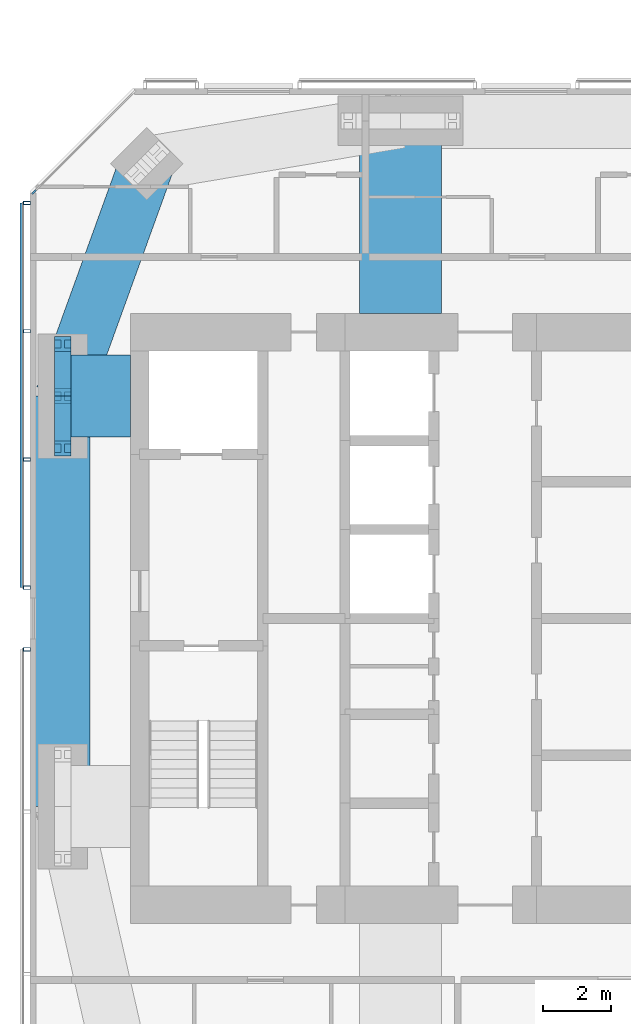
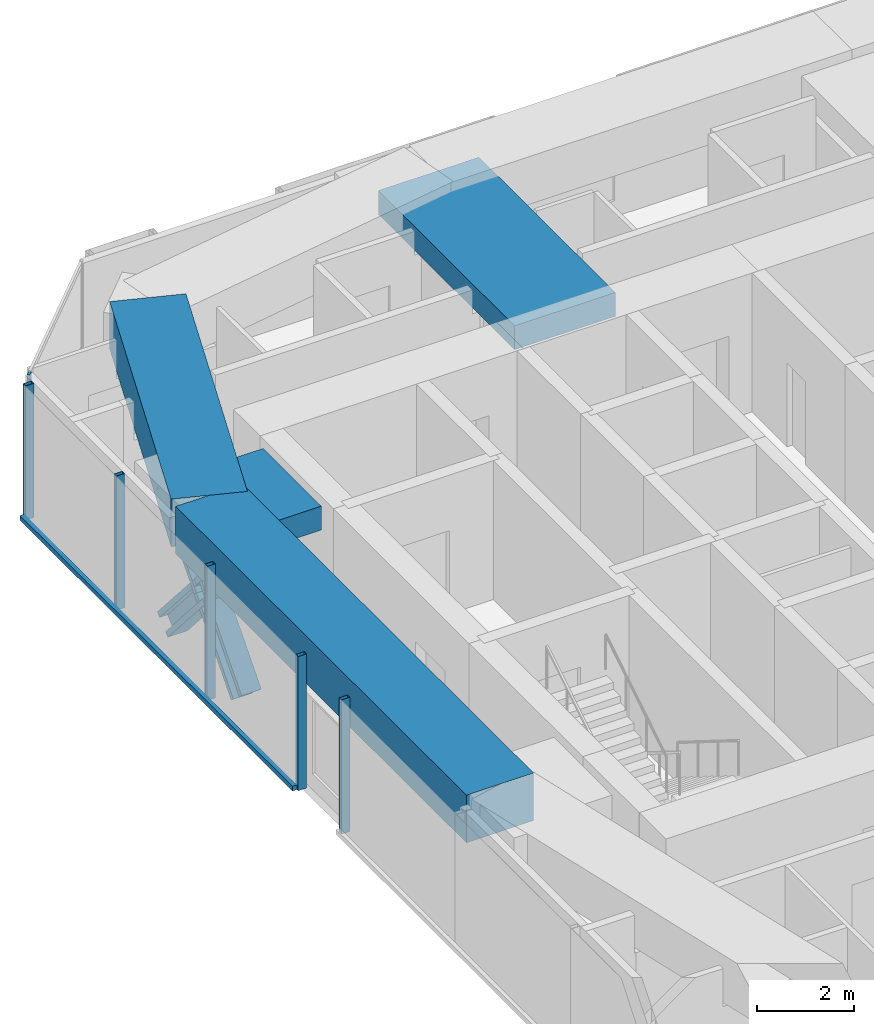
# One storey, part 5 of 18: 11 members, 4 beams, 3 elements without a shape of their own.
"""IFC4 building model written with IfcOpenShell, lengths in metres."""

from ifc_helpers import new_model, si_unit, direction, frame, origin, origin_2d, place, context, subcontext, project, spatial, rectangle, hollow_rectangle, i_section, extrude, material, material_profile, profile_set, type_object, element, aggregate, save


model = new_model("IFC4")

# Units and contexts
model_context = context("Model", 3, precision=1e-05, world=origin(), true_north=direction((0.0, 1.0)))
body_context = subcontext(model_context, "Body", "Model", "MODEL_VIEW")
ifc_project = project(units=[si_unit("LENGTHUNIT", "METRE"), si_unit("AREAUNIT", "SQUARE_METRE"), si_unit("VOLUMEUNIT", "CUBIC_METRE"), si_unit("PLANEANGLEUNIT", "RADIAN"), si_unit("MASSUNIT", "GRAM", prefix="KILO")], contexts=[model_context])

# Site, building, storey
site_placement = place(None, origin())
site = spatial("IfcSite", under=ifc_project, at=site_placement, CompositionType="ELEMENT")
building_placement = place(site_placement, origin())
building = spatial("IfcBuilding", under=site, at=building_placement, Name="Jalousie Tower", CompositionType="ELEMENT")
storey_placement = place(building_placement, frame((0.0, 0.0, 228.449951171875)))
storey = spatial("IfcBuildingStorey", under=building, at=storey_placement, Name="L62", CompositionType="ELEMENT", Elevation=228.449951171875)

# Curtain wall, member
ifc_material_1 = material(Name="Aluminium curtain wall", Category="aluminium")
curtain_wall_type_1 = type_object("IfcCurtainWallType", Name="CORNER WINDOW WALL", PredefinedType="USERDEFINED", material=ifc_material_1)
curtain_wall_1_placement = place(storey_placement, origin())
curtain_wall_1 = element("IfcCurtainWall", 1, at=curtain_wall_1_placement, inside=storey, type_object=curtain_wall_type_1, Name="Corner Window Wall L62 6", ObjectType="CORNER WINDOW WALL", PredefinedType="USERDEFINED")
ifc_material_2 = material(Name="Aluminium mullion", Category="aluminium")
ifc_material_profile_1 = material_profile(ifc_material_2, rectangle(XDim=0.06005859375, YDim=0.14990234375, at=origin_2d()), Name="MULLION 60x150")
ifc_profile_set_1 = profile_set([ifc_material_profile_1], Name="Aluminium mullion")
member_type_1 = type_object("IfcMemberType", Name="CORNER WINDOW WALL MULLION", PredefinedType="MULLION", material=ifc_profile_set_1)
member_1_placement = place(storey_placement, frame((16.90869140625, 30.969970703125, 0.0), z_axis=(0.0, 0.0, 1.0), x_axis=(0.707106781187, -0.707106781187, 0.0)))
member_1 = element("IfcMember", 2, at=member_1_placement, type_object=member_type_1, Name="CW-C mullion 2", PredefinedType="MULLION", context=body_context, shape_type="SweptSolid", body=[
    extrude(rectangle(XDim=0.06005859375, YDim=0.14990234375, at=origin_2d()), origin(), (0.0, 0.0, 1.0), 3.260009765625),
])
aggregate(curtain_wall_1, [member_1])

# Members
ifc_material_3 = material(Name="Steel ASTM A992 Grade 50", Category="steel")
ifc_material_profile_2 = material_profile(ifc_material_3, i_section(OverallWidth=0.472412109375, OverallDepth=0.5791015625, WebThickness=0.094970703125, FlangeThickness=0.1298828125, at=origin_2d()), Name="W14X808")
ifc_profile_set_2 = profile_set([ifc_material_profile_2], Name="Steel ASTM A992 Grade 50")
member_type_2 = type_object("IfcMemberType", Name="PERIMETER BRACE W14X808", PredefinedType="BRACE", material=ifc_profile_set_2)
for number, where, z_axis, x_axis, name in (
    (3, (17.75, 23.47509765625, -0.599853515625), (0.0, 0.65695436777, 0.753930340726), (-1.0, 0.0, 0.0), "Perimeter brace 13 L62 part 1"),
    (4, (17.75, 25.0, 1.150146484375), (0.0, 0.65695436777, 0.753930340726), (-1.0, 0.0, 0.0), "Perimeter brace 13 L62 part 2"),
    (5, (17.75, 26.52490234375, -0.599853515625), (0.0, -0.65695436777, 0.753930340726), (1.0, 0.0, 0.0), "Perimeter brace 13 L62 part 3"),
    (6, (17.75, 25.0, 1.150146484375), (0.0, -0.65695436777, 0.753930340726), (1.0, 0.0, 0.0), "Perimeter brace 13 L62 part 4"),
):
    element("IfcMember", number, at=place(storey_placement, frame(where, z_axis=z_axis, x_axis=x_axis)), inside=storey, type_object=member_type_2, Name=name, PredefinedType="BRACE", context=body_context, shape_type="SweptSolid", body=[
        extrude(i_section(OverallWidth=0.472412109375, OverallDepth=0.5791015625, WebThickness=0.094970703125, FlangeThickness=0.1298828125, at=origin_2d()), origin(), (0.0, 0.0, 1.0), 2.3212890625),
    ])

# Beams
ifc_material_4 = material(Name="Concrete f'c 40 MPa", Category="concrete")
ifc_material_profile_3 = material_profile(ifc_material_4, rectangle(XDim=1.60009765625, YDim=1.199951171875, at=origin_2d()), Name="RC 1600x1200")
ifc_profile_set_3 = profile_set([ifc_material_profile_3], Name="Concrete f'c 40 MPa")
beam_type_1 = type_object("IfcBeamType", Name="RC BEAM 1600x1200", PredefinedType="BEAM", material=ifc_profile_set_3)
beam_1_placement = place(storey_placement, frame((20.20703125, 31.79296875, 2.900146484375), z_axis=(-0.340136081654, -0.940376225751, 0.0), x_axis=(0.940376225751, -0.340136081654, 0.0)))
element("IfcBeam", 7, at=beam_1_placement, inside=storey, type_object=beam_type_1, Name="Edge band beam 12-13 under L63", PredefinedType="BEAM", context=body_context, shape_type="SweptSolid", body=[
    extrude(rectangle(XDim=1.60009765625, YDim=1.199951171875, at=origin_2d()), origin(), (0.0, 0.0, 1.0), 7.2236328125),
])
beam_2_placement = place(storey_placement, frame((17.75, 25.0, 2.900146484375), z_axis=(0.0, -1.0, 0.0), x_axis=(1.0, 0.0, 0.0)))
element("IfcBeam", 8, at=beam_2_placement, inside=storey, type_object=beam_type_1, Name="Edge band beam 13-14 under L63", PredefinedType="BEAM", context=body_context, shape_type="SweptSolid", body=[
    extrude(rectangle(XDim=1.60009765625, YDim=1.199951171875, at=origin_2d()), origin(), (0.0, 0.0, 1.0), 12.0),
])
ifc_material_5 = material(Name="Concrete f'c 40 MPa", Category="concrete")
ifc_material_profile_4 = material_profile(ifc_material_5, rectangle(XDim=2.39990234375, YDim=0.60009765625, at=origin_2d()), Name="RC 2400x600")
ifc_profile_set_4 = profile_set([ifc_material_profile_4], Name="Concrete f'c 40 MPa")
beam_type_2 = type_object("IfcBeamType", Name="RC BEAM 2400x600", PredefinedType="BEAM", material=ifc_profile_set_4)
beam_3_placement = place(storey_placement, frame((17.75, 25.0, 2.9599609375), z_axis=(1.0, 0.0, 0.0), x_axis=(0.0, 1.0, 0.0)))
element("IfcBeam", 9, at=beam_3_placement, inside=storey, type_object=beam_type_2, Name="Floor band beam under L63", PredefinedType="BEAM", context=body_context, shape_type="SweptSolid", body=[
    extrude(rectangle(XDim=2.39990234375, YDim=0.60009765625, at=origin_2d()), origin(), (0.0, 0.0, 1.0), 1.97509765625),
])
beam_4_placement = place(storey_placement, frame((27.625, 33.050048828125, 2.9599609375), z_axis=(0.0, -1.0, 0.0), x_axis=(1.0, 0.0, 0.0)))
element("IfcBeam", 10, at=beam_4_placement, inside=storey, type_object=beam_type_2, Name="Floor band beam under L63", PredefinedType="BEAM", context=body_context, shape_type="SweptSolid", body=[
    extrude(rectangle(XDim=2.39990234375, YDim=0.60009765625, at=origin_2d()), origin(), (0.0, 0.0, 1.0), 5.625),
])

# Curtain wall, members
ifc_material_6 = material(Name="Perforated aluminium sheet", Category="aluminium")
curtain_wall_type_2 = type_object("IfcCurtainWallType", Name="SOLAR SCREEN SS-2", PredefinedType="USERDEFINED", material=ifc_material_6)
curtain_wall_2_placement = place(storey_placement, origin())
curtain_wall_2 = element("IfcCurtainWall", 11, at=curtain_wall_2_placement, inside=storey, type_object=curtain_wall_type_2, Name="Solar screen L62", ObjectType="SOLAR SCREEN SS-2", PredefinedType="USERDEFINED")
ifc_material_7 = material(Name="Steel ASTM A500 Grade C", Category="steel")
ifc_material_profile_5 = material_profile(ifc_material_7, hollow_rectangle(XDim=0.1015625, YDim=0.203125, WallThickness=0.0078125, at=origin_2d()), Name="HSS8X4X5/16")
ifc_profile_set_5 = profile_set([ifc_material_profile_5], Name="Steel ASTM A500 Grade C")
member_type_3 = type_object("IfcMemberType", Name="SOLAR SCREEN SS-2 MULLION", PredefinedType="MULLION", material=ifc_profile_set_5)
member_2_placement = place(storey_placement, frame((16.703369140625, 30.648681640625, -0.119873046875), z_axis=(0.0, 0.0, 1.0), x_axis=(0.0, -1.0, 0.0)))
member_2 = element("IfcMember", 12, at=member_2_placement, type_object=member_type_3, Name="SS2 post 1", PredefinedType="MULLION", context=body_context, shape_type="SweptSolid", body=[
    extrude(hollow_rectangle(XDim=0.1015625, YDim=0.203125, WallThickness=0.0078125, at=origin_2d()), origin(), (0.0, 0.0, 1.0), 3.3798828125),
])
member_3_placement = place(storey_placement, frame((16.703369140625, 26.899169921875, -0.119873046875), z_axis=(0.0, 0.0, 1.0), x_axis=(0.0, -1.0, 0.0)))
member_3 = element("IfcMember", 13, at=member_3_placement, type_object=member_type_3, Name="SS2 post 2", PredefinedType="MULLION", context=body_context, shape_type="SweptSolid", body=[
    extrude(hollow_rectangle(XDim=0.1015625, YDim=0.203125, WallThickness=0.0078125, at=origin_2d()), origin(), (0.0, 0.0, 1.0), 3.3798828125),
])
member_4_placement = place(storey_placement, frame((16.703369140625, 23.149658203125, -0.119873046875), z_axis=(0.0, 0.0, 1.0), x_axis=(0.0, -1.0, 0.0)))
member_4 = element("IfcMember", 14, at=member_4_placement, type_object=member_type_3, Name="SS2 post 3", PredefinedType="MULLION", context=body_context, shape_type="SweptSolid", body=[
    extrude(hollow_rectangle(XDim=0.1015625, YDim=0.203125, WallThickness=0.0078125, at=origin_2d()), origin(), (0.0, 0.0, 1.0), 3.3798828125),
])
member_5_placement = place(storey_placement, frame((16.703369140625, 19.39990234375, -0.119873046875), z_axis=(0.0, 0.0, 1.0), x_axis=(0.0, -1.0, 0.0)))
member_5 = element("IfcMember", 15, at=member_5_placement, type_object=member_type_3, Name="SS2 post 4", PredefinedType="MULLION", context=body_context, shape_type="SweptSolid", body=[
    extrude(hollow_rectangle(XDim=0.1015625, YDim=0.203125, WallThickness=0.0078125, at=origin_2d()), origin(), (0.0, 0.0, 1.0), 3.3798828125),
])

# Curtain wall, member
curtain_wall_3_placement = place(storey_placement, origin())
curtain_wall_3 = element("IfcCurtainWall", 16, at=curtain_wall_3_placement, inside=storey, type_object=curtain_wall_type_2, Name="Solar screen L62", ObjectType="SOLAR SCREEN SS-2", PredefinedType="USERDEFINED")
member_6_placement = place(storey_placement, frame((16.703369140625, 17.60009765625, -0.119873046875), z_axis=(0.0, 0.0, 1.0), x_axis=(0.0, -1.0, 0.0)))
member_6 = element("IfcMember", 17, at=member_6_placement, type_object=member_type_3, Name="SS2 post 1", PredefinedType="MULLION", context=body_context, shape_type="SweptSolid", body=[
    extrude(hollow_rectangle(XDim=0.1015625, YDim=0.203125, WallThickness=0.0078125, at=origin_2d()), origin(), (0.0, 0.0, 1.0), 3.3798828125),
])
aggregate(curtain_wall_3, [member_6])

# Member
ifc_material_8 = material(Name="Extruded aluminium screen rail", Category="aluminium")
ifc_material_profile_6 = material_profile(ifc_material_8, rectangle(XDim=0.1015625, YDim=0.1201171875, at=origin_2d()), Name="RAIL 102x120")
ifc_profile_set_6 = profile_set([ifc_material_profile_6], Name="Extruded aluminium screen rail")
member_type_4 = type_object("IfcMemberType", Name="SOLAR SCREEN SS-2 TRANSOM", PredefinedType="USERDEFINED", material=ifc_profile_set_6)
member_7_placement = place(storey_placement, frame((16.551025390625, 30.648681640625, -0.06005859375), z_axis=(0.0, -1.0, 0.0), x_axis=(1.0, 0.0, 0.0)))
member_7 = element("IfcMember", 18, at=member_7_placement, type_object=member_type_4, Name="SS2 rail", ObjectType="TRANSOM", PredefinedType="USERDEFINED", context=body_context, shape_type="SweptSolid", body=[
    extrude(rectangle(XDim=0.1015625, YDim=0.1201171875, at=origin_2d()), origin(), (0.0, 0.0, 1.0), 11.248779296875),
])

aggregate(curtain_wall_2, [member_2, member_3, member_4, member_5, member_7])

save(model, "model.ifc")
